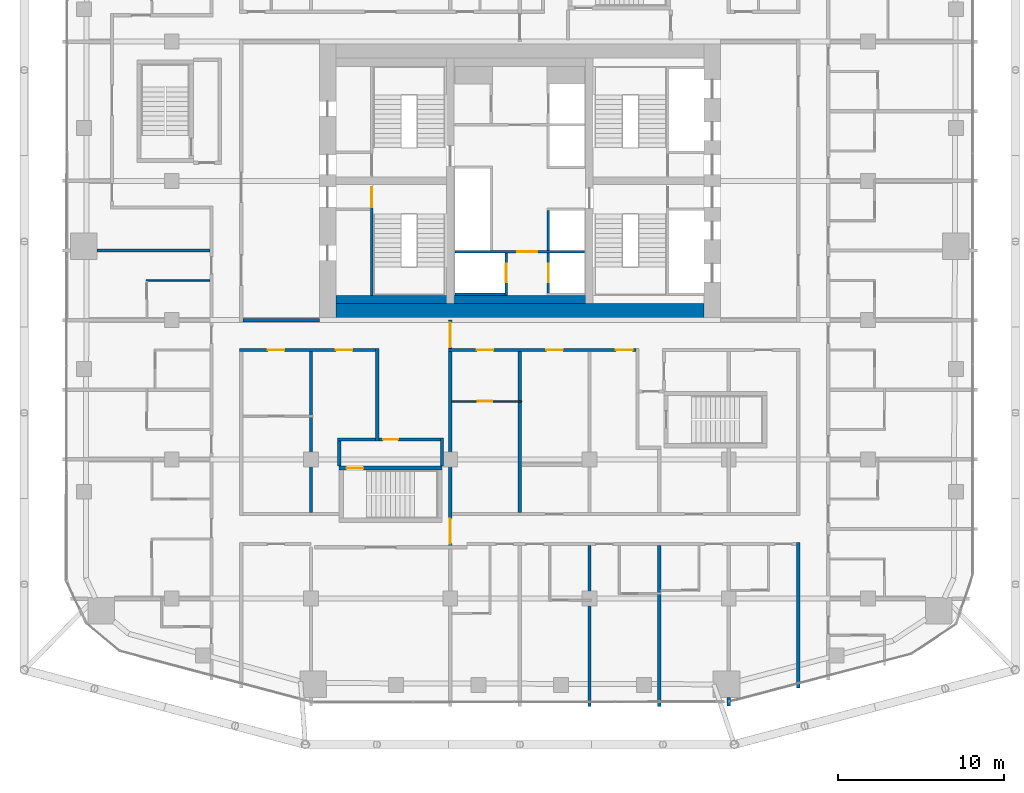
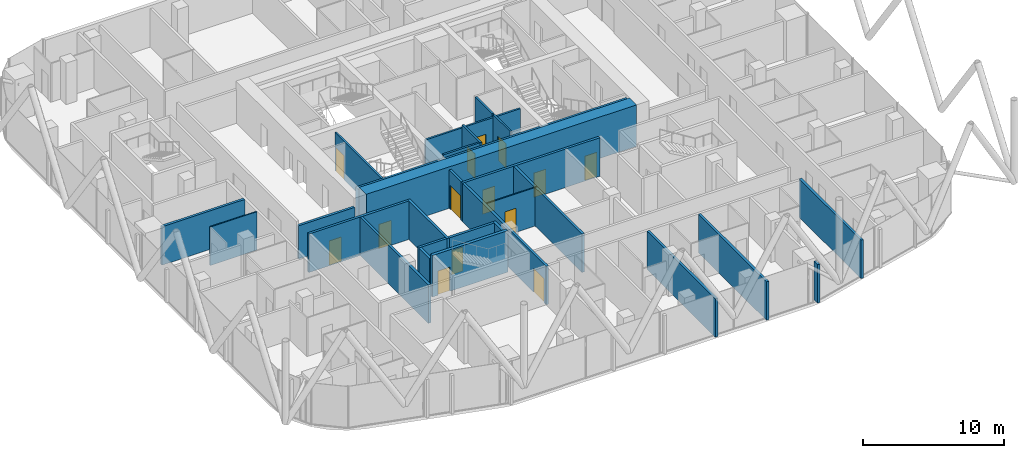
# One storey, part 25 of 33: 27 walls, 14 doors, 14 openings.
"""IFC4 building model written with IfcOpenShell, lengths in metres."""

from ifc_helpers import new_model, si_unit, direction, frame, frame_2d, origin, place, context, subcontext, project, spatial, rectangle, extrude, material, layer, layer_set, type_object, element, fill, save


model = new_model("IFC4")

# Units and contexts
model_context = context("Model", 3, precision=1e-05, world=origin(), true_north=direction((0.0, 1.0)))
body_context = subcontext(model_context, "Body", "Model", "MODEL_VIEW")
ifc_project = project(units=[si_unit("LENGTHUNIT", "METRE"), si_unit("AREAUNIT", "SQUARE_METRE"), si_unit("VOLUMEUNIT", "CUBIC_METRE"), si_unit("PLANEANGLEUNIT", "RADIAN"), si_unit("MASSUNIT", "GRAM", prefix="KILO")], contexts=[model_context])

# Site, building, storey
site_placement = place(None, origin())
site = spatial("IfcSite", under=ifc_project, at=site_placement, CompositionType="ELEMENT")
building_placement = place(site_placement, origin())
building = spatial("IfcBuilding", under=site, at=building_placement, Name="Marenta Gate Hotel Tower", CompositionType="ELEMENT")
storey_placement = place(building_placement, frame((0.0, 0.0, 137.300048828125)))
storey = spatial("IfcBuildingStorey", under=building, at=storey_placement, Name="L31", CompositionType="ELEMENT", Elevation=137.300048828125)

# Wall, openings, doors
ifc_material_1 = material(Name="Concrete blockwork", Category="masonry")
ifc_layer_1 = layer(ifc_material_1, 0.199951171875)
ifc_layer_set_1 = layer_set([ifc_layer_1], Name="Concrete blockwork")
wall_type_1 = type_object("IfcWallType", Name="Compartment wall 200 REI 180", PredefinedType="PARTITIONING", material=ifc_layer_set_1)
wall_1_placement = place(storey_placement, frame((-4.199951171875, -13.800048828125, 0.0), z_axis=(0.0, 0.0, 1.0), x_axis=(0.0, 1.0, 0.0)))
wall_1 = element("IfcWall", 1, at=wall_1_placement, inside=storey, type_object=wall_type_1, Name="L31-PTN-W084", PredefinedType="PARTITIONING", context=body_context, shape_type="SweptSolid", body=[
    extrude(rectangle(XDim=13.800048828125, YDim=0.199951171875, at=frame_2d((6.89990234375, 0.0))), origin(), (0.0, 0.0, 1.0), 3.33984375),
])
opening_1_placement = place(wall_1_placement, frame((12.14990234375, 0.0, 0.0)))
opening_1 = element("IfcOpeningElement", 2, at=opening_1_placement, cuts=wall_1, Name="Opening G12-FD2", PredefinedType="OPENING", context=body_context, shape_type="SweptSolid", body=[
    extrude(rectangle(XDim=1.5, YDim=2.10009765625, at=frame_2d((0.75, 1.050048828125))), frame((0.0, 0.10009765625, 0.0), z_axis=(0.0, -1.0, 0.0), x_axis=(1.0, 0.0, 0.0)), (0.0, 0.0, 1.0), 0.199951171875),
])
opening_2_placement = place(wall_1_placement, frame((0.324951171875, 0.0, 0.0)))
opening_2 = element("IfcOpeningElement", 3, at=opening_2_placement, cuts=wall_1, Name="Opening G12-FD3", PredefinedType="OPENING", context=body_context, shape_type="SweptSolid", body=[
    extrude(rectangle(XDim=1.5, YDim=2.10009765625, at=frame_2d((0.75, 1.050048828125))), frame((0.0, 0.10009765625, 0.0), z_axis=(0.0, -1.0, 0.0), x_axis=(1.0, 0.0, 0.0)), (0.0, 0.0, 1.0), 0.199951171875),
])
ifc_material_2 = material(Name="Hollow steel door set", Category="steel")
door_type_1 = type_object("IfcDoorType", Name="Compartment fire door 1500x2100 EI 60", OperationType="DOUBLE_DOOR_DOUBLE_SWING", PredefinedType="DOOR", material=ifc_material_2)
door_1_placement = place(opening_1_placement, origin())
door_1 = element("IfcDoor", 4, at=door_1_placement, inside=storey, type_object=door_type_1, Name="L31-PD-FD02", OperationType="DOUBLE_DOOR_DOUBLE_SWING", OverallHeight=2.10009765625, OverallWidth=1.5, PredefinedType="DOOR", context=body_context, shape_type="SweptSolid", body=[
    extrude(rectangle(XDim=1.5, YDim=2.10009765625, at=frame_2d((0.75, 1.050048828125))), frame((0.0, 0.02490234375, 0.0), z_axis=(0.0, -1.0, 0.0), x_axis=(1.0, 0.0, 0.0)), (0.0, 0.0, 1.0), 0.050048828125),
])
fill(opening_1, door_1)
door_2_placement = place(opening_2_placement, origin())
door_2 = element("IfcDoor", 5, at=door_2_placement, inside=storey, type_object=door_type_1, Name="L31-PD-FD03", OperationType="DOUBLE_DOOR_DOUBLE_SWING", OverallHeight=2.10009765625, OverallWidth=1.5, PredefinedType="DOOR", context=body_context, shape_type="SweptSolid", body=[
    extrude(rectangle(XDim=1.5, YDim=2.10009765625, at=frame_2d((0.75, 1.050048828125))), frame((0.0, 0.02490234375, 0.0), z_axis=(0.0, -1.0, 0.0), x_axis=(1.0, 0.0, 0.0)), (0.0, 0.0, 1.0), 0.050048828125),
])
fill(opening_2, door_2)

# Walls
ifc_material_3 = material(Name="Concrete blockwork", Category="masonry")
ifc_layer_2 = layer(ifc_material_3, 0.199951171875)
ifc_layer_set_2 = layer_set([ifc_layer_2], Name="Concrete blockwork")
wall_type_2 = type_object("IfcWallType", Name="Core boundary wall 200 REI 180", PredefinedType="PARTITIONING", material=ifc_layer_set_2)
wall_2_placement = place(storey_placement, frame((-16.699951171875, 0.0, 0.0), z_axis=(0.0, 0.0, 1.0), x_axis=(1.0, 0.0, 0.0)))
element("IfcWall", 6, at=wall_2_placement, inside=storey, type_object=wall_type_2, Name="L31-CP-EW-WS", PredefinedType="PARTITIONING", context=body_context, shape_type="SweptSolid", body=[
    extrude(rectangle(XDim=4.599853515625, YDim=0.199951171875, at=frame_2d((2.2998046875, 0.0))), origin(), (0.0, 0.0, 1.0), 2.889892578125),
])
ifc_material_4 = material(Name="Concrete C40", Category="concrete")
ifc_layer_3 = layer(ifc_material_4, 0.5)
ifc_layer_set_3 = layer_set([ifc_layer_3], Name="Concrete C40")
wall_type_3 = type_object("IfcWallType", Name="Core lining wall 500 REI 180", PredefinedType="PARTITIONING", material=ifc_layer_set_3)
wall_3_placement = place(storey_placement, frame((-11.10009765625, 1.25, 0.0), z_axis=(0.0, 0.0, 1.0), x_axis=(1.0, 0.0, 0.0)))
element("IfcWall", 7, at=wall_3_placement, inside=storey, type_object=wall_type_3, Name="L31-CP-LN-S", PredefinedType="PARTITIONING", context=body_context, shape_type="SweptSolid", body=[
    extrude(rectangle(XDim=22.2001953125, YDim=0.5, at=frame_2d((11.10009765625, 0.0))), origin(), (0.0, 0.0, 1.0), 3.33984375),
])

# Wall, opening, door
ifc_material_5 = material(Name="Concrete blockwork", Category="masonry")
ifc_layer_4 = layer(ifc_material_5, 0.14990234375)
ifc_layer_set_4 = layer_set([ifc_layer_4], Name="Concrete blockwork")
wall_type_4 = type_object("IfcWallType", Name="Core lobby partition 150 REI 180", PredefinedType="PARTITIONING", material=ifc_layer_set_4)
wall_4_placement = place(storey_placement, frame((-3.89990234375, 4.125, 0.0), z_axis=(0.0, 0.0, 1.0), x_axis=(1.0, 0.0, 0.0)))
wall_4 = element("IfcWall", 8, at=wall_4_placement, inside=storey, type_object=wall_type_4, Name="L31-CP-CW-S", PredefinedType="PARTITIONING", context=body_context, shape_type="SweptSolid", body=[
    extrude(rectangle(XDim=7.7998046875, YDim=0.14990234375, at=frame_2d((3.89990234375, 0.0))), origin(), (0.0, 0.0, 1.0), 3.33984375),
])
opening_3_placement = place(wall_4_placement, frame((3.75, 0.0, 0.0)))
opening_3 = element("IfcOpeningElement", 9, at=opening_3_placement, cuts=wall_4, Name="Opening FD-FFS", PredefinedType="OPENING", context=body_context, shape_type="SweptSolid", body=[
    extrude(rectangle(XDim=1.199951171875, YDim=2.10009765625, at=frame_2d((0.60009765625, 1.050048828125))), frame((0.0, 0.074951171875, 0.0), z_axis=(0.0, -1.0, 0.0), x_axis=(1.0, 0.0, 0.0)), (0.0, 0.0, 1.0), 0.14990234375),
])
ifc_material_6 = material(Name="Steel", Category="steel")
door_type_2 = type_object("IfcDoorType", Name="Core lobby door 1200x2100 FD60", OperationType="SINGLE_SWING_LEFT", PredefinedType="DOOR", material=ifc_material_6)
door_3_placement = place(opening_3_placement, origin())
door_3 = element("IfcDoor", 10, at=door_3_placement, inside=storey, type_object=door_type_2, Name="FD-FFS", OperationType="SINGLE_SWING_LEFT", OverallHeight=2.10009765625, OverallWidth=1.199951171875, PredefinedType="DOOR", context=body_context, shape_type="SweptSolid", body=[
    extrude(rectangle(XDim=1.199951171875, YDim=2.10009765625, at=frame_2d((0.60009765625, 1.050048828125))), frame((0.0, 0.02490234375, 0.0), z_axis=(0.0, -1.0, 0.0), x_axis=(1.0, 0.0, 0.0)), (0.0, 0.0, 1.0), 0.050048828125),
])
fill(opening_3, door_3)

ifc_material_7 = material(Name="Concrete C40", Category="concrete")
ifc_layer_5 = layer(ifc_material_7, 0.14990234375)
ifc_layer_set_5 = layer_set([ifc_layer_5], Name="Concrete C40")
wall_type_5 = type_object("IfcWallType", Name="Core shaft wall 150 REI 180", PredefinedType="SHEAR", material=ifc_layer_set_5)
wall_5_placement = place(storey_placement, frame((-0.824951171875, 1.5, 0.0), z_axis=(0.0, 0.0, 1.0), x_axis=(0.0, 1.0, 0.0)))
wall_5 = element("IfcWall", 11, at=wall_5_placement, inside=storey, type_object=wall_type_5, Name="L31-SHF-CW-W-ff", PredefinedType="SHEAR", context=body_context, shape_type="SweptSolid", body=[
    extrude(rectangle(XDim=2.550048828125, YDim=0.14990234375, at=frame_2d((1.27490234375, 0.0))), origin(), (0.0, 0.0, 1.0), 3.599853515625),
])
opening_4_placement = place(wall_5_placement, frame((0.800048828125, 0.0, 0.0)))
opening_4 = element("IfcOpeningElement", 12, at=opening_4_placement, cuts=wall_5, Name="Opening LD-FF1", PredefinedType="OPENING", context=body_context, shape_type="SweptSolid", body=[
    extrude(rectangle(XDim=1.10009765625, YDim=2.10009765625, at=frame_2d((0.550048828125, 1.050048828125))), frame((0.0, 0.074951171875, 0.0), z_axis=(0.0, -1.0, 0.0), x_axis=(1.0, 0.0, 0.0)), (0.0, 0.0, 1.0), 0.14990234375),
])
ifc_material_8 = material(Name="Steel", Category="steel")
door_type_3 = type_object("IfcDoorType", Name="Core lift landing door 1100x2100 E 60", OperationType="SLIDING_TO_LEFT", PredefinedType="DOOR", material=ifc_material_8)
door_4_placement = place(opening_4_placement, origin())
door_4 = element("IfcDoor", 13, at=door_4_placement, inside=storey, type_object=door_type_3, Name="LD-FF1", OperationType="SLIDING_TO_LEFT", OverallHeight=2.10009765625, OverallWidth=1.10009765625, PredefinedType="DOOR", context=body_context, shape_type="SweptSolid", body=[
    extrude(rectangle(XDim=1.10009765625, YDim=2.10009765625, at=frame_2d((0.550048828125, 1.050048828125))), frame((0.0, 0.02490234375, 0.0), z_axis=(0.0, -1.0, 0.0), x_axis=(1.0, 0.0, 0.0)), (0.0, 0.0, 1.0), 0.050048828125),
])
fill(opening_4, door_4)

# Wall
wall_6_placement = place(storey_placement, frame((-3.89990234375, 1.574951171875, 0.0), z_axis=(0.0, 0.0, 1.0), x_axis=(1.0, 0.0, 0.0)))
element("IfcWall", 14, at=wall_6_placement, inside=storey, type_object=wall_type_5, Name="L31-SHF-CW-W-ffs", PredefinedType="SHEAR", context=body_context, shape_type="SweptSolid", body=[
    extrude(rectangle(XDim=3.0, YDim=0.14990234375, at=frame_2d((1.5, 0.0))), origin(), (0.0, 0.0, 1.0), 3.599853515625),
])

# Wall, opening, door
wall_7_placement = place(storey_placement, frame((1.72509765625, 1.64990234375, 0.0), z_axis=(0.0, 0.0, 1.0), x_axis=(0.0, 1.0, 0.0)))
wall_7 = element("IfcWall", 15, at=wall_7_placement, inside=storey, type_object=wall_type_5, Name="L31-SHF-CE-S-ls", PredefinedType="SHEAR", context=body_context, shape_type="SweptSolid", body=[
    extrude(rectangle(XDim=2.400146484375, YDim=0.14990234375, at=frame_2d((1.2001953125, 0.0))), origin(), (0.0, 0.0, 1.0), 3.599853515625),
])
opening_5_placement = place(wall_7_placement, frame((0.64990234375, 0.0, 0.0)))
opening_5 = element("IfcOpeningElement", 16, at=opening_5_placement, cuts=wall_7, Name="Opening LD-SV1", PredefinedType="OPENING", context=body_context, shape_type="SweptSolid", body=[
    extrude(rectangle(XDim=1.10009765625, YDim=2.10009765625, at=frame_2d((0.550048828125, 1.050048828125))), frame((0.0, 0.074951171875, 0.0), z_axis=(0.0, -1.0, 0.0), x_axis=(1.0, 0.0, 0.0)), (0.0, 0.0, 1.0), 0.14990234375),
])
door_5_placement = place(opening_5_placement, origin())
door_5 = element("IfcDoor", 17, at=door_5_placement, inside=storey, type_object=door_type_3, Name="LD-SV1", OperationType="SLIDING_TO_LEFT", OverallHeight=2.10009765625, OverallWidth=1.10009765625, PredefinedType="DOOR", context=body_context, shape_type="SweptSolid", body=[
    extrude(rectangle(XDim=1.10009765625, YDim=2.10009765625, at=frame_2d((0.550048828125, 1.050048828125))), frame((0.0, 0.02490234375, 0.0), z_axis=(0.0, -1.0, 0.0), x_axis=(1.0, 0.0, 0.0)), (0.0, 0.0, 1.0), 0.050048828125),
])
fill(opening_5, door_5)

# Wall
wall_8_placement = place(storey_placement, frame((1.72509765625, 4.199951171875, 0.0), z_axis=(0.0, 0.0, 1.0), x_axis=(0.0, 1.0, 0.0)))
element("IfcWall", 18, at=wall_8_placement, inside=storey, type_object=wall_type_5, Name="L31-SHF-CE-front-1", PredefinedType="SHEAR", context=body_context, shape_type="SweptSolid", body=[
    extrude(rectangle(XDim=2.400146484375, YDim=0.14990234375, at=frame_2d((1.2001953125, 0.0))), origin(), (0.0, 0.0, 1.0), 3.599853515625),
])

# Wall, opening, door
ifc_material_9 = material(Name="Concrete C40", Category="concrete")
ifc_layer_6 = layer(ifc_material_9, 0.14990234375)
ifc_layer_set_6 = layer_set([ifc_layer_6], Name="Concrete C40")
wall_type_6 = type_object("IfcWallType", Name="Core stair enclosure wall 150 REI 180", PredefinedType="SHEAR", material=ifc_layer_set_6)
wall_9_placement = place(storey_placement, frame((-8.925048828125, 1.5, 0.0), z_axis=(0.0, 0.0, 1.0), x_axis=(0.0, 1.0, 0.0)))
wall_9 = element("IfcWall", 19, at=wall_9_placement, inside=storey, type_object=wall_type_6, Name="L31-SHF-SW-WS-3", PredefinedType="SHEAR", context=body_context, shape_type="SweptSolid", body=[
    extrude(rectangle(XDim=6.60009765625, YDim=0.14990234375, at=frame_2d((3.300048828125, 0.0))), origin(), (0.0, 0.0, 1.0), 3.33984375),
])
opening_6_placement = place(wall_9_placement, frame((5.324951171875, 0.0, 0.0)))
opening_6 = element("IfcOpeningElement", 20, at=opening_6_placement, cuts=wall_9, Name="Opening SD-WS", PredefinedType="OPENING", context=body_context, shape_type="SweptSolid", body=[
    extrude(rectangle(XDim=1.199951171875, YDim=2.10009765625, at=frame_2d((0.60009765625, 1.050048828125))), frame((0.0, 0.074951171875, 0.0), z_axis=(0.0, -1.0, 0.0), x_axis=(1.0, 0.0, 0.0)), (0.0, 0.0, 1.0), 0.14990234375),
])
ifc_material_10 = material(Name="Steel", Category="steel")
door_type_4 = type_object("IfcDoorType", Name="Core stair door 1200x2100 FD60", OperationType="SINGLE_SWING_LEFT", PredefinedType="DOOR", material=ifc_material_10)
door_6_placement = place(opening_6_placement, origin())
door_6 = element("IfcDoor", 21, at=door_6_placement, inside=storey, type_object=door_type_4, Name="SD-WS", OperationType="SINGLE_SWING_LEFT", OverallHeight=2.10009765625, OverallWidth=1.199951171875, PredefinedType="DOOR", context=body_context, shape_type="SweptSolid", body=[
    extrude(rectangle(XDim=1.199951171875, YDim=2.10009765625, at=frame_2d((0.60009765625, 1.050048828125))), frame((0.0, 0.02490234375, 0.0), z_axis=(0.0, -1.0, 0.0), x_axis=(1.0, 0.0, 0.0)), (0.0, 0.0, 1.0), 0.050048828125),
])
fill(opening_6, door_6)

# Wall
ifc_material_11 = material(Name="Concrete C70", Category="concrete")
ifc_layer_7 = layer(ifc_material_11, 1.0)
ifc_layer_set_7 = layer_set([ifc_layer_7], Name="Concrete C70")
wall_type_7 = type_object("IfcWallType", Name="Core wall 1000 C70", PredefinedType="SHEAR", material=ifc_layer_set_7)
wall_10_placement = place(storey_placement, frame((-11.10009765625, 0.5, 0.0), z_axis=(0.0, 0.0, 1.0), x_axis=(1.0, 0.0, 0.0)))
element("IfcWall", 22, at=wall_10_placement, inside=storey, type_object=wall_type_7, Name="L31-CORE-S", PredefinedType="SHEAR", context=body_context, shape_type="SweptSolid", body=[
    extrude(rectangle(XDim=22.2001953125, YDim=1.0, at=frame_2d((11.10009765625, 0.0))), origin(), (0.0, 0.0, 1.0), 3.599853515625),
])

# Wall, opening, door
ifc_material_12 = material(Name="Concrete C40", Category="concrete")
ifc_layer_8 = layer(ifc_material_12, 0.25)
ifc_layer_set_8 = layer_set([ifc_layer_8], Name="Concrete C40")
wall_type_8 = type_object("IfcWallType", Name="Remote stair enclosure wall 250 REI 180", PredefinedType="SHEAR", material=ifc_layer_set_8)
wall_11_placement = place(storey_placement, frame((-10.89990234375, -8.925048828125, 0.099853515625), z_axis=(0.0, 0.0, 1.0), x_axis=(1.0, 0.0, 0.0)))
wall_11 = element("IfcWall", 23, at=wall_11_placement, inside=storey, type_object=wall_type_8, Name="L31-RS-Z2-1-W2", PredefinedType="SHEAR", context=body_context, shape_type="SweptSolid", body=[
    extrude(rectangle(XDim=6.199951171875, YDim=0.25, at=frame_2d((3.10009765625, 0.0))), origin(), (0.0, 0.0, 1.0), 3.60009765625),
])
opening_7_placement = place(wall_11_placement, frame((0.449951171875, 0.0, 0.0)))
opening_7 = element("IfcOpeningElement", 24, at=opening_7_placement, cuts=wall_11, Name="Opening VD", PredefinedType="OPENING", context=body_context, shape_type="SweptSolid", body=[
    extrude(rectangle(XDim=1.0, YDim=2.10009765625, at=frame_2d((0.5, 1.050048828125))), frame((0.0, 0.125, 0.0), z_axis=(0.0, -1.0, 0.0), x_axis=(1.0, 0.0, 0.0)), (0.0, 0.0, 1.0), 0.25),
])
ifc_material_13 = material(Name="Steel", Category="steel")
door_type_5 = type_object("IfcDoorType", Name="Stair vestibule door 1000x2100 FD60", OperationType="SINGLE_SWING_LEFT", PredefinedType="DOOR", material=ifc_material_13)
door_7_placement = place(opening_7_placement, origin())
door_7 = element("IfcDoor", 25, at=door_7_placement, inside=storey, type_object=door_type_5, Name="VD", OperationType="SINGLE_SWING_LEFT", OverallHeight=2.10009765625, OverallWidth=1.0, PredefinedType="DOOR", context=body_context, shape_type="SweptSolid", body=[
    extrude(rectangle(XDim=1.0, YDim=2.10009765625, at=frame_2d((0.5, 1.050048828125))), frame((0.0, 0.02490234375, 0.0), z_axis=(0.0, -1.0, 0.0), x_axis=(1.0, 0.0, 0.0)), (0.0, 0.0, 1.0), 0.050048828125),
])
fill(opening_7, door_7)

# Wall, openings, doors
ifc_material_14 = material(Name="Concrete blockwork", Category="masonry")
ifc_layer_9 = layer(ifc_material_14, 0.199951171875)
ifc_layer_set_9 = layer_set([ifc_layer_9], Name="Concrete blockwork")
wall_type_9 = type_object("IfcWallType", Name="Room corridor wall 200 EI 120", PredefinedType="PARTITIONING", material=ifc_layer_set_9)
wall_12_placement = place(storey_placement, frame((-4.300048828125, -1.800048828125, 0.0), z_axis=(0.0, 0.0, 1.0), x_axis=(1.0, 0.0, 0.0)))
wall_12 = element("IfcWall", 26, at=wall_12_placement, inside=storey, type_object=wall_type_9, Name="L31-PTN-W070", PredefinedType="PARTITIONING", context=body_context, shape_type="SweptSolid", body=[
    extrude(rectangle(XDim=11.300048828125, YDim=0.199951171875, at=frame_2d((5.64990234375, 0.0))), origin(), (0.0, 0.0, 1.0), 3.33984375),
])
opening_8_placement = place(wall_12_placement, frame((1.699951171875, 0.0, 0.0)))
opening_8 = element("IfcOpeningElement", 27, at=opening_8_placement, cuts=wall_12, Name="Opening G12-04", PredefinedType="OPENING", context=body_context, shape_type="SweptSolid", body=[
    extrude(rectangle(XDim=1.0, YDim=2.10009765625, at=frame_2d((0.5, 1.050048828125))), frame((0.0, 0.10009765625, 0.0), z_axis=(0.0, -1.0, 0.0), x_axis=(1.0, 0.0, 0.0)), (0.0, 0.0, 1.0), 0.199951171875),
])
opening_9_placement = place(wall_12_placement, frame((10.10009765625, 0.0, 0.0)))
opening_9 = element("IfcOpeningElement", 28, at=opening_9_placement, cuts=wall_12, Name="Opening G12-06", PredefinedType="OPENING", context=body_context, shape_type="SweptSolid", body=[
    extrude(rectangle(XDim=1.0, YDim=2.10009765625, at=frame_2d((0.5, 1.050048828125))), frame((0.0, 0.10009765625, 0.0), z_axis=(0.0, -1.0, 0.0), x_axis=(1.0, 0.0, 0.0)), (0.0, 0.0, 1.0), 0.199951171875),
])
opening_10_placement = place(wall_12_placement, frame((5.89990234375, 0.0, 0.0)))
opening_10 = element("IfcOpeningElement", 29, at=opening_10_placement, cuts=wall_12, Name="Opening G12-73", PredefinedType="OPENING", context=body_context, shape_type="SweptSolid", body=[
    extrude(rectangle(XDim=1.0, YDim=2.10009765625, at=frame_2d((0.5, 1.050048828125))), frame((0.0, 0.10009765625, 0.0), z_axis=(0.0, -1.0, 0.0), x_axis=(1.0, 0.0, 0.0)), (0.0, 0.0, 1.0), 0.199951171875),
])
ifc_material_15 = material(Name="Timber door leaf", Category="wood")
door_type_6 = type_object("IfcDoorType", Name="Room amenity door 1000x2100 EI 60", OperationType="NOTDEFINED", PredefinedType="DOOR", material=ifc_material_15)
door_8_placement = place(opening_9_placement, origin())
door_8 = element("IfcDoor", 30, at=door_8_placement, inside=storey, type_object=door_type_6, Name="L31-PD-D006", OperationType="SINGLE_SWING_LEFT", OverallHeight=2.10009765625, OverallWidth=1.0, PredefinedType="DOOR", context=body_context, shape_type="SweptSolid", body=[
    extrude(rectangle(XDim=1.0, YDim=2.10009765625, at=frame_2d((0.5, 1.050048828125))), frame((0.0, 0.02490234375, 0.0), z_axis=(0.0, -1.0, 0.0), x_axis=(1.0, 0.0, 0.0)), (0.0, 0.0, 1.0), 0.050048828125),
])
fill(opening_9, door_8)
door_9_placement = place(opening_10_placement, origin())
door_9 = element("IfcDoor", 31, at=door_9_placement, inside=storey, type_object=door_type_6, Name="L31-PD-D073", OperationType="SINGLE_SWING_LEFT", OverallHeight=2.10009765625, OverallWidth=1.0, PredefinedType="DOOR", context=body_context, shape_type="SweptSolid", body=[
    extrude(rectangle(XDim=1.0, YDim=2.10009765625, at=frame_2d((0.5, 1.050048828125))), frame((0.0, 0.02490234375, 0.0), z_axis=(0.0, -1.0, 0.0), x_axis=(1.0, 0.0, 0.0)), (0.0, 0.0, 1.0), 0.050048828125),
])
fill(opening_10, door_9)
ifc_material_16 = material(Name="Hollow steel door set", Category="steel")
door_type_7 = type_object("IfcDoorType", Name="Room service door 1000x2100 EI 60", OperationType="NOTDEFINED", PredefinedType="DOOR", material=ifc_material_16)
door_10_placement = place(opening_8_placement, origin())
door_10 = element("IfcDoor", 32, at=door_10_placement, inside=storey, type_object=door_type_7, Name="L31-PD-D004", OperationType="SINGLE_SWING_RIGHT", OverallHeight=2.10009765625, OverallWidth=1.0, PredefinedType="DOOR", context=body_context, shape_type="SweptSolid", body=[
    extrude(rectangle(XDim=1.0, YDim=2.10009765625, at=frame_2d((0.5, 1.050048828125))), frame((0.0, 0.02490234375, 0.0), z_axis=(0.0, -1.0, 0.0), x_axis=(1.0, 0.0, 0.0)), (0.0, 0.0, 1.0), 0.050048828125),
])
fill(opening_8, door_10)

# Wall
ifc_material_17 = material(Name="Gypsum board on steel stud", Category="steel")
ifc_layer_10 = layer(ifc_material_17, 0.199951171875)
ifc_layer_set_10 = layer_set([ifc_layer_10], Name="Gypsum board on steel stud")
wall_type_10 = type_object("IfcWallType", Name="Room corridor wall 200 EI 60", PredefinedType="PARTITIONING", material=ifc_layer_set_10)
wall_13_placement = place(storey_placement, frame((16.800048828125, -22.18603515625, 0.0), z_axis=(0.0, 0.0, 1.0), x_axis=(0.0, 1.0, 0.0)))
element("IfcWall", 33, at=wall_13_placement, inside=storey, type_object=wall_type_10, Name="L31-PTN-W017", PredefinedType="PARTITIONING", context=body_context, shape_type="SweptSolid", body=[
    extrude(rectangle(XDim=8.7861328125, YDim=0.199951171875, at=frame_2d((4.39306640625, 0.0))), origin(), (0.0, 0.0, 1.0), 3.33984375),
])

# Wall, openings, doors
wall_14_placement = place(storey_placement, frame((-16.89990234375, -1.800048828125, 0.0), z_axis=(0.0, 0.0, 1.0), x_axis=(1.0, 0.0, 0.0)))
wall_14 = element("IfcWall", 34, at=wall_14_placement, inside=storey, type_object=wall_type_10, Name="L31-PTN-W069", PredefinedType="PARTITIONING", context=body_context, shape_type="SweptSolid", body=[
    extrude(rectangle(XDim=8.199951171875, YDim=0.199951171875, at=frame_2d((4.10009765625, 0.0))), origin(), (0.0, 0.0, 1.0), 3.33984375),
])
opening_11_placement = place(wall_14_placement, frame((1.699951171875, 0.0, 0.0)))
opening_11 = element("IfcOpeningElement", 35, at=opening_11_placement, cuts=wall_14, Name="Opening G12-01", PredefinedType="OPENING", context=body_context, shape_type="SweptSolid", body=[
    extrude(rectangle(XDim=1.0, YDim=2.10009765625, at=frame_2d((0.5, 1.050048828125))), frame((0.0, 0.10009765625, 0.0), z_axis=(0.0, -1.0, 0.0), x_axis=(1.0, 0.0, 0.0)), (0.0, 0.0, 1.0), 0.199951171875),
])
opening_12_placement = place(wall_14_placement, frame((5.800048828125, 0.0, 0.0)))
opening_12 = element("IfcOpeningElement", 36, at=opening_12_placement, cuts=wall_14, Name="Opening G12-03", PredefinedType="OPENING", context=body_context, shape_type="SweptSolid", body=[
    extrude(rectangle(XDim=1.0, YDim=2.10009765625, at=frame_2d((0.5, 1.050048828125))), frame((0.0, 0.10009765625, 0.0), z_axis=(0.0, -1.0, 0.0), x_axis=(1.0, 0.0, 0.0)), (0.0, 0.0, 1.0), 0.199951171875),
])
ifc_material_18 = material(Name="Timber door leaf", Category="wood")
door_type_8 = type_object("IfcDoorType", Name="Room amenity door 1000x2100 EI 30", OperationType="NOTDEFINED", PredefinedType="DOOR", material=ifc_material_18)
door_11_placement = place(opening_12_placement, origin())
door_11 = element("IfcDoor", 37, at=door_11_placement, inside=storey, type_object=door_type_8, Name="L31-PD-D003", OperationType="SINGLE_SWING_LEFT", OverallHeight=2.10009765625, OverallWidth=1.0, PredefinedType="DOOR", context=body_context, shape_type="SweptSolid", body=[
    extrude(rectangle(XDim=1.0, YDim=2.10009765625, at=frame_2d((0.5, 1.050048828125))), frame((0.0, 0.02490234375, 0.0), z_axis=(0.0, -1.0, 0.0), x_axis=(1.0, 0.0, 0.0)), (0.0, 0.0, 1.0), 0.050048828125),
])
fill(opening_12, door_11)
ifc_material_19 = material(Name="Hollow steel door set", Category="steel")
door_type_9 = type_object("IfcDoorType", Name="Room service door 1000x2100 EI 30", OperationType="NOTDEFINED", PredefinedType="DOOR", material=ifc_material_19)
door_12_placement = place(opening_11_placement, origin())
door_12 = element("IfcDoor", 38, at=door_12_placement, inside=storey, type_object=door_type_9, Name="L31-PD-D001", OperationType="SINGLE_SWING_LEFT", OverallHeight=2.10009765625, OverallWidth=1.0, PredefinedType="DOOR", context=body_context, shape_type="SweptSolid", body=[
    extrude(rectangle(XDim=1.0, YDim=2.10009765625, at=frame_2d((0.5, 1.050048828125))), frame((0.0, 0.02490234375, 0.0), z_axis=(0.0, -1.0, 0.0), x_axis=(1.0, 0.0, 0.0)), (0.0, 0.0, 1.0), 0.050048828125),
])
fill(opening_11, door_12)

# Wall
wall_15_placement = place(storey_placement, frame((-8.60009765625, -7.300048828125, 0.0), z_axis=(0.0, 0.0, 1.0), x_axis=(0.0, 1.0, 0.0)))
element("IfcWall", 39, at=wall_15_placement, inside=storey, type_object=wall_type_10, Name="L31-PTN-W092", PredefinedType="PARTITIONING", context=body_context, shape_type="SweptSolid", body=[
    extrude(rectangle(XDim=5.60009765625, YDim=0.199951171875, at=frame_2d((2.800048828125, 0.0))), origin(), (0.0, 0.0, 1.0), 3.33984375),
])

# Wall, opening, door
ifc_material_20 = material(Name="Concrete blockwork", Category="masonry")
ifc_layer_11 = layer(ifc_material_20, 0.199951171875)
ifc_layer_set_11 = layer_set([ifc_layer_11], Name="Concrete blockwork")
wall_type_11 = type_object("IfcWallType", Name="Room corridor wall 200 REI 180", PredefinedType="PARTITIONING", material=ifc_layer_set_11)
wall_16_placement = place(storey_placement, frame((-8.5, -7.199951171875, 0.0), z_axis=(0.0, 0.0, 1.0), x_axis=(1.0, 0.0, 0.0)))
wall_16 = element("IfcWall", 40, at=wall_16_placement, inside=storey, type_object=wall_type_11, Name="L31-PTN-W051", PredefinedType="PARTITIONING", context=body_context, shape_type="SweptSolid", body=[
    extrude(rectangle(XDim=3.699951171875, YDim=0.199951171875, at=frame_2d((1.85009765625, 0.0))), origin(), (0.0, 0.0, 1.0), 3.33984375),
])
opening_13_placement = place(wall_16_placement, frame((0.25, 0.0, 0.0)))
opening_13 = element("IfcOpeningElement", 41, at=opening_13_placement, cuts=wall_16, Name="Opening G12-66", PredefinedType="OPENING", context=body_context, shape_type="SweptSolid", body=[
    extrude(rectangle(XDim=0.89990234375, YDim=2.10009765625, at=frame_2d((0.449951171875, 1.050048828125))), frame((0.0, 0.10009765625, 0.0), z_axis=(0.0, -1.0, 0.0), x_axis=(1.0, 0.0, 0.0)), (0.0, 0.0, 1.0), 0.199951171875),
])
ifc_material_21 = material(Name="Hollow steel door set", Category="steel")
door_type_10 = type_object("IfcDoorType", Name="Stair vestibule door 900x2100 EI 60", OperationType="NOTDEFINED", PredefinedType="DOOR", material=ifc_material_21)
door_13_placement = place(opening_13_placement, origin())
door_13 = element("IfcDoor", 42, at=door_13_placement, inside=storey, type_object=door_type_10, Name="L31-PD-D066", OperationType="SINGLE_SWING_RIGHT", OverallHeight=2.10009765625, OverallWidth=0.89990234375, PredefinedType="DOOR", context=body_context, shape_type="SweptSolid", body=[
    extrude(rectangle(XDim=0.89990234375, YDim=2.10009765625, at=frame_2d((0.449951171875, 1.050048828125))), frame((0.0, 0.02490234375, 0.0), z_axis=(0.0, -1.0, 0.0), x_axis=(1.0, 0.0, 0.0)), (0.0, 0.0, 1.0), 0.050048828125),
])
fill(opening_13, door_13)

# Wall
wall_17_placement = place(storey_placement, frame((-4.699951171875, -8.800048828125, 0.0), z_axis=(0.0, 0.0, 1.0), x_axis=(0.0, 1.0, 0.0)))
element("IfcWall", 43, at=wall_17_placement, inside=storey, type_object=wall_type_11, Name="L31-PTN-W087", PredefinedType="PARTITIONING", context=body_context, shape_type="SweptSolid", body=[
    extrude(rectangle(XDim=1.699951171875, YDim=0.199951171875, at=frame_2d((0.85009765625, 0.0))), origin(), (0.0, 0.0, 1.0), 3.33984375),
])

# Wall, opening, door
ifc_material_22 = material(Name="Gypsum board on steel stud", Category="steel")
ifc_layer_12 = layer(ifc_material_22, 0.10009765625)
ifc_layer_set_12 = layer_set([ifc_layer_12], Name="Gypsum board on steel stud")
wall_type_12 = type_object("IfcWallType", Name="Room partition 100", PredefinedType="PARTITIONING", material=ifc_layer_set_12)
wall_18_placement = place(storey_placement, frame((-4.10009765625, -4.89990234375, 0.0), z_axis=(0.0, 0.0, 1.0), x_axis=(1.0, 0.0, 0.0)))
wall_18 = element("IfcWall", 44, at=wall_18_placement, inside=storey, type_object=wall_type_12, Name="L31-PTN-W058", PredefinedType="PARTITIONING", context=body_context, shape_type="SweptSolid", body=[
    extrude(rectangle(XDim=4.2001953125, YDim=0.10009765625, at=frame_2d((2.10009765625, 0.0))), origin(), (0.0, 0.0, 1.0), 3.33984375),
])
opening_14_placement = place(wall_18_placement, frame((1.550048828125, 0.0, 0.0)))
opening_14 = element("IfcOpeningElement", 45, at=opening_14_placement, cuts=wall_18, Name="Opening G12-05", PredefinedType="OPENING", context=body_context, shape_type="SweptSolid", body=[
    extrude(rectangle(XDim=0.89990234375, YDim=2.10009765625, at=frame_2d((0.449951171875, 1.050048828125))), frame((0.0, 0.050048828125, 0.0), z_axis=(0.0, -1.0, 0.0), x_axis=(1.0, 0.0, 0.0)), (0.0, 0.0, 1.0), 0.10009765625),
])
ifc_material_23 = material(Name="Timber door leaf", Category="wood")
door_type_11 = type_object("IfcDoorType", Name="Room inner door 900x2100", OperationType="NOTDEFINED", PredefinedType="DOOR", material=ifc_material_23)
door_14_placement = place(opening_14_placement, origin())
door_14 = element("IfcDoor", 46, at=door_14_placement, inside=storey, type_object=door_type_11, Name="L31-PD-D005", OperationType="SINGLE_SWING_LEFT", OverallHeight=2.10009765625, OverallWidth=0.89990234375, PredefinedType="DOOR", context=body_context, shape_type="SweptSolid", body=[
    extrude(rectangle(XDim=0.89990234375, YDim=2.10009765625, at=frame_2d((0.449951171875, 1.050048828125))), frame((0.0, 0.02490234375, 0.0), z_axis=(0.0, -1.0, 0.0), x_axis=(1.0, 0.0, 0.0)), (0.0, 0.0, 1.0), 0.050048828125),
])
fill(opening_14, door_14)

# Walls
wall_19_placement = place(storey_placement, frame((-22.550048828125, 2.39990234375, 0.0), z_axis=(0.0, 0.0, 1.0), x_axis=(1.0, 0.0, 0.0)))
element("IfcWall", 47, at=wall_19_placement, inside=storey, type_object=wall_type_12, Name="L31-PTN-W080", PredefinedType="PARTITIONING", context=body_context, shape_type="SweptSolid", body=[
    extrude(rectangle(XDim=3.85009765625, YDim=0.10009765625, at=frame_2d((1.925048828125, 0.0))), origin(), (0.0, 0.0, 1.0), 3.33984375),
])
ifc_material_24 = material(Name="Concrete blockwork", Category="masonry")
ifc_layer_13 = layer(ifc_material_24, 0.199951171875)
ifc_layer_set_13 = layer_set([ifc_layer_13], Name="Concrete blockwork")
wall_type_13 = type_object("IfcWallType", Name="Room party wall 200 EI 120", PredefinedType="PARTITIONING", material=ifc_layer_set_13)
wall_20_placement = place(storey_placement, frame((0.0, -11.60009765625, 0.0), z_axis=(0.0, 0.0, 1.0), x_axis=(0.0, 1.0, 0.0)))
element("IfcWall", 48, at=wall_20_placement, inside=storey, type_object=wall_type_13, Name="L31-PTN-W074", PredefinedType="PARTITIONING", context=body_context, shape_type="SweptSolid", body=[
    extrude(rectangle(XDim=9.7001953125, YDim=0.199951171875, at=frame_2d((4.85009765625, 0.0))), origin(), (0.0, 0.0, 1.0), 3.33984375),
])
ifc_material_25 = material(Name="Gypsum board on steel stud", Category="steel")
ifc_layer_14 = layer(ifc_material_25, 0.199951171875)
ifc_layer_set_14 = layer_set([ifc_layer_14], Name="Gypsum board on steel stud")
wall_type_14 = type_object("IfcWallType", Name="Room party wall 200 EI 60", PredefinedType="PARTITIONING", material=ifc_layer_set_14)
wall_21_placement = place(storey_placement, frame((12.60009765625, -23.26611328125, 0.0), z_axis=(0.0, 0.0, 1.0), x_axis=(0.0, 1.0, 0.0)))
element("IfcWall", 49, at=wall_21_placement, inside=storey, type_object=wall_type_14, Name="L31-PTN-W032", PredefinedType="PARTITIONING", context=body_context, shape_type="SweptSolid", body=[
    extrude(rectangle(XDim=0.4912109375, YDim=0.199951171875, at=frame_2d((0.24560546875, 0.0))), origin(), (0.0, 0.0, 1.0), 3.33984375),
])
for number, where, z_axis, x_axis, name in (
    (50, (8.39990234375, -23.300048828125, 0.0), (0.0, 0.0, 1.0), (0.0, 1.0, 0.0), "L31-PTN-W045"),
    (51, (4.199951171875, -23.300048828125, 0.0), (0.0, 0.0, 1.0), (0.0, 1.0, 0.0), "L31-PTN-W060"),
):
    element("IfcWall", number, at=place(storey_placement, frame(where, z_axis=z_axis, x_axis=x_axis)), inside=storey, type_object=wall_type_14, Name=name, PredefinedType="PARTITIONING", context=body_context, shape_type="SweptSolid", body=[
        extrude(rectangle(XDim=9.699951171875, YDim=0.199951171875, at=frame_2d((4.85009765625, 0.0))), origin(), (0.0, 0.0, 1.0), 3.33984375),
    ])
wall_22_placement = place(storey_placement, frame((-25.5, 4.199951171875, 0.0), z_axis=(0.0, 0.0, 1.0), x_axis=(1.0, 0.0, 0.0)))
element("IfcWall", 52, at=wall_22_placement, inside=storey, type_object=wall_type_14, Name="L31-PTN-W134", PredefinedType="PARTITIONING", context=body_context, shape_type="SweptSolid", body=[
    extrude(rectangle(XDim=6.800048828125, YDim=0.199951171875, at=frame_2d((3.39990234375, 0.0))), origin(), (0.0, 0.0, 1.0), 3.33984375),
])
wall_23_placement = place(storey_placement, frame((-12.60009765625, -11.60009765625, 0.0), z_axis=(0.0, 0.0, 1.0), x_axis=(0.0, 1.0, 0.0)))
element("IfcWall", 53, at=wall_23_placement, inside=storey, type_object=wall_type_14, Name="L31-PTN-W097", PredefinedType="PARTITIONING", context=body_context, shape_type="SweptSolid", body=[
    extrude(rectangle(XDim=9.7001953125, YDim=0.199951171875, at=frame_2d((4.85009765625, 0.0))), origin(), (0.0, 0.0, 1.0), 3.33984375),
])
ifc_material_26 = material(Name="Concrete blockwork", Category="masonry")
ifc_layer_15 = layer(ifc_material_26, 0.199951171875)
ifc_layer_set_15 = layer_set([ifc_layer_15], Name="Concrete blockwork")
wall_type_15 = type_object("IfcWallType", Name="Room party wall 200 REI 180", PredefinedType="PARTITIONING", material=ifc_layer_set_15)
wall_24_placement = place(storey_placement, frame((-11.0, -7.199951171875, 0.0), z_axis=(0.0, 0.0, 1.0), x_axis=(1.0, 0.0, 0.0)))
element("IfcWall", 54, at=wall_24_placement, inside=storey, type_object=wall_type_15, Name="L31-PTN-W050", PredefinedType="PARTITIONING", context=body_context, shape_type="SweptSolid", body=[
    extrude(rectangle(XDim=2.300048828125, YDim=0.199951171875, at=frame_2d((1.14990234375, 0.0))), origin(), (0.0, 0.0, 1.0), 3.33984375),
])
wall_25_placement = place(storey_placement, frame((-10.89990234375, -8.800048828125, 0.0), z_axis=(0.0, 0.0, 1.0), x_axis=(0.0, 1.0, 0.0)))
element("IfcWall", 55, at=wall_25_placement, inside=storey, type_object=wall_type_15, Name="L31-PTN-W095", PredefinedType="PARTITIONING", context=body_context, shape_type="SweptSolid", body=[
    extrude(rectangle(XDim=1.5, YDim=0.199951171875, at=frame_2d((0.75, 0.0))), origin(), (0.0, 0.0, 1.0), 3.33984375),
])

save(model, "model.ifc")
